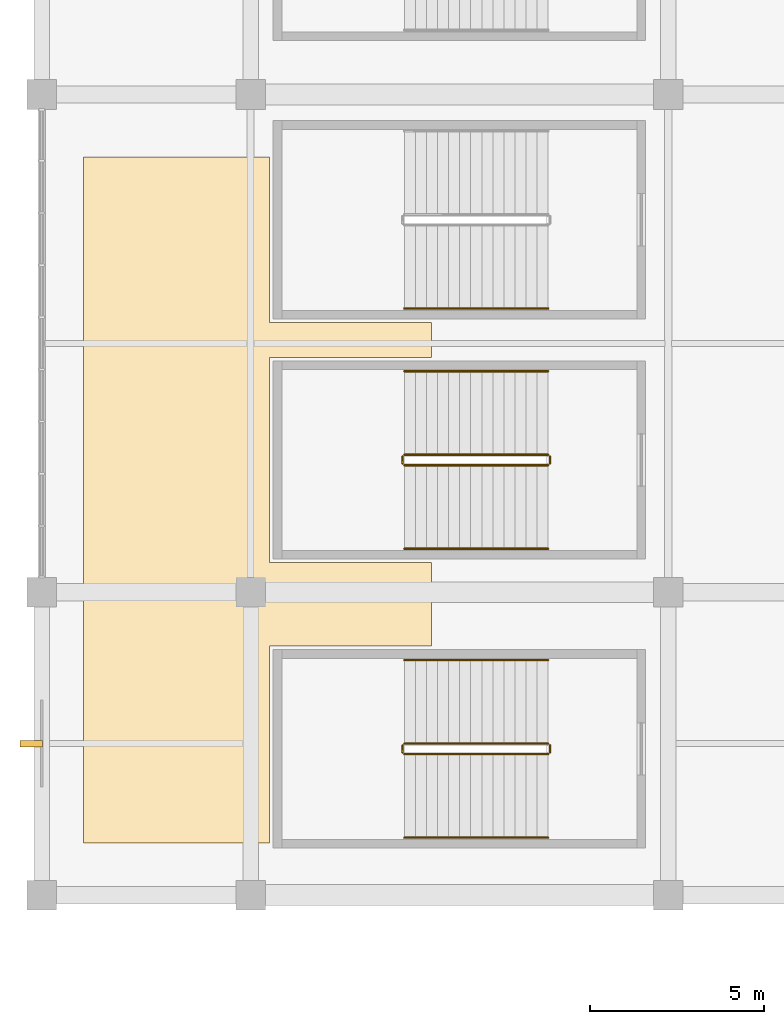
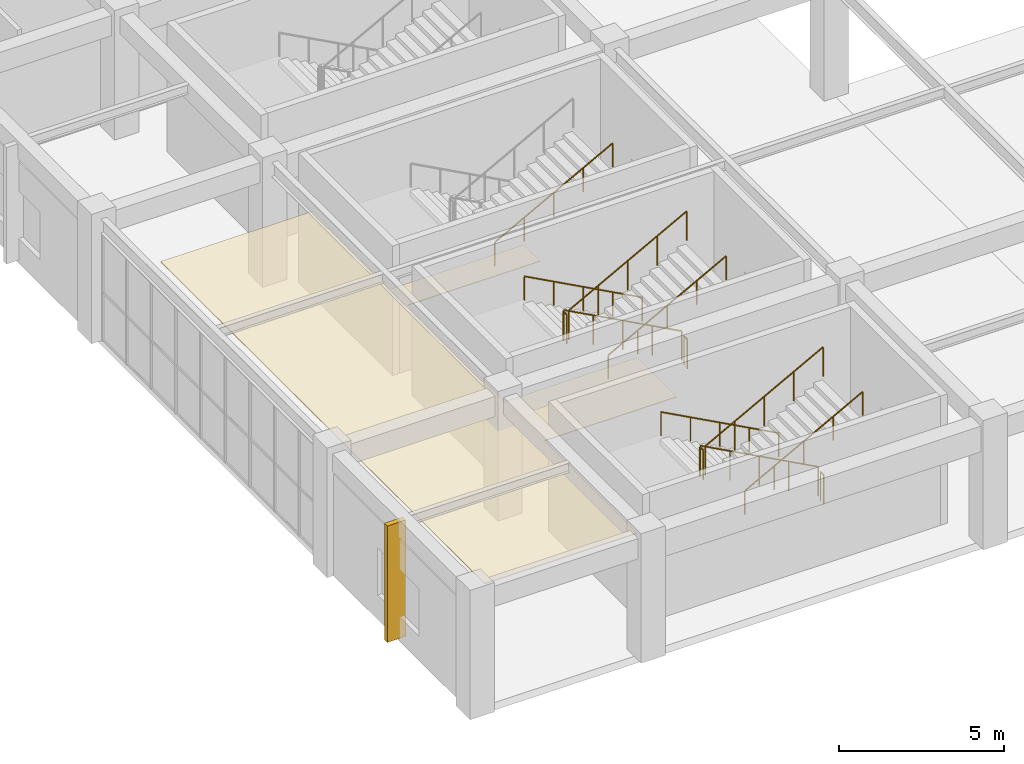
# One storey, part 96 of 112: 13 railings, 1 covering, 1 shading device.
"""IFC4 building model written with IfcOpenShell, lengths in metres."""

from ifc_helpers import new_model, si_unit, direction, frame, origin, origin_2d, place, context, subcontext, project, spatial, polyline, rectangle, circle, outline, extrude, material, layer, layer_set, type_object, element, save


model = new_model("IFC4")

# Units and contexts
model_context = context("Model", 3, precision=1e-05, world=origin(), true_north=direction((0.0, 1.0)))
body_context = subcontext(model_context, "Body", "Model", "MODEL_VIEW")
ifc_project = project(units=[si_unit("LENGTHUNIT", "METRE"), si_unit("AREAUNIT", "SQUARE_METRE"), si_unit("VOLUMEUNIT", "CUBIC_METRE"), si_unit("PLANEANGLEUNIT", "RADIAN"), si_unit("MASSUNIT", "GRAM", prefix="KILO")], contexts=[model_context])

# Site, building, storey
site_placement = place(None, origin())
site = spatial("IfcSite", under=ifc_project, at=site_placement, CompositionType="ELEMENT")
building_placement = place(site_placement, origin())
building = spatial("IfcBuilding", under=site, at=building_placement, Name="Cuetzalor Civic Arena", CompositionType="ELEMENT")
storey_placement = place(building_placement, frame((0.0, 0.0, 11.39990234375)))
storey = spatial("IfcBuildingStorey", under=building, at=storey_placement, Name="L02", CompositionType="ELEMENT", Elevation=11.39990234375)

# Covering
ifc_material_1 = material(Name="Perforated acoustic mineral ceiling board", Category="gypsum")
ifc_layer = layer(ifc_material_1, 0.02490234375)
ifc_layer_set = layer_set([ifc_layer], Name="Perforated acoustic mineral ceiling board")
covering_type = type_object("IfcCoveringType", Name="AcousticMineralCeiling_25", PredefinedType="CEILING", material=ifc_layer_set)
covering_placement = place(storey_placement, frame((0.0, 0.0, 3.300048828125)))
element("IfcCovering", 1, at=covering_placement, inside=storey, type_object=covering_type, Name="Club Lounge West Acoustic Ceiling", PredefinedType="CEILING", context=body_context, shape_type="SweptSolid", body=[
    extrude(outline(polyline([(-80.800048828125, -55.5), (-80.800048828125, -35.800048828125), (-75.449951171875, -35.800048828125), (-75.449951171875, -40.550048828125), (-70.800048828125, -40.550048828125), (-70.800048828125, -41.550048828125), (-75.449951171875, -41.550048828125), (-75.449951171875, -47.449951171875), (-70.800048828125, -47.449951171875), (-70.800048828125, -49.85009765625), (-75.449951171875, -49.85009765625), (-75.449951171875, -55.5), (-80.800048828125, -55.5)])), origin(), (0.0, 0.0, 1.0), 0.025146484375),
])

# Railings
ifc_material_2 = material(Name="Reseda-green architectural Steel S355 balustrade", Category="steel")
railing_type_1 = type_object("IfcRailingType", Name="InteriorVoidBalustrade_1100", PredefinedType="BALUSTRADE", material=ifc_material_2)
railing_1_placement = place(storey_placement, frame((-67.449951171875, -52.64990234375, 0.171630859375)))
element("IfcRailing", 2, at=railing_1_placement, inside=storey, type_object=railing_type_1, Name="L02 ST-13 stair guard 1", PredefinedType="BALUSTRADE", context=body_context, shape_type="SweptSolid", body=[
    extrude(circle(Radius=0.02392578125, at=origin_2d()), frame((0.0, 0.0, 1.0810546875), z_axis=(-0.880248997335, 0.0, 0.474512068014), x_axis=(0.0, -1.0, 0.0)), (0.0, 0.0, 1.0), 4.696533203125),
    extrude(circle(Radius=0.02099609375, at=origin_2d()), origin(), (0.0, 0.0, 1.0), 1.056884765625),
    extrude(circle(Radius=0.02099609375, at=origin_2d()), frame((-1.033447265625, 0.0, 0.55712890625)), (0.0, 0.0, 1.0), 1.056884765625),
    extrude(circle(Radius=0.02099609375, at=origin_2d()), frame((-2.06689453125, 0.0, 1.1142578125)), (0.0, 0.0, 1.0), 1.056884765625),
    extrude(circle(Radius=0.02099609375, at=origin_2d()), frame((-3.1005859375, 0.0, 1.67138671875)), (0.0, 0.0, 1.0), 1.056884765625),
    extrude(circle(Radius=0.02099609375, at=origin_2d()), frame((-4.134033203125, 0.0, 2.228515625)), (0.0, 0.0, 1.0), 1.056884765625),
])
railing_2_placement = place(storey_placement, frame((-71.634033203125, -52.699951171875, 2.400146484375)))
element("IfcRailing", 3, at=railing_2_placement, inside=storey, type_object=railing_type_1, Name="L02 ST-13 stair guard 2", PredefinedType="BALUSTRADE", context=body_context, shape_type="SweptSolid", body=[
    extrude(circle(Radius=0.02392578125, at=origin_2d()), frame((0.0, 0.0, 1.0810546875), z_axis=(0.0, -1.0, 0.0), x_axis=(1.0, 0.0, 0.0)), (0.0, 0.0, 1.0), 0.199951171875),
    extrude(circle(Radius=0.02099609375, at=origin_2d()), origin(), (0.0, 0.0, 1.0), 1.056884765625),
    extrude(circle(Radius=0.02099609375, at=origin_2d()), frame((0.0, -0.199951171875, 0.0)), (0.0, 0.0, 1.0), 1.056884765625),
])
railing_3_placement = place(storey_placement, frame((-71.583984375, -52.949951171875, 2.571533203125)))
element("IfcRailing", 4, at=railing_3_placement, inside=storey, type_object=railing_type_1, Name="L02 ST-13 stair guard 3", PredefinedType="BALUSTRADE", context=body_context, shape_type="SweptSolid", body=[
    extrude(circle(Radius=0.02392578125, at=origin_2d()), frame((0.0, 0.0, 1.0810546875), z_axis=(0.880248997335, 0.0, 0.474512068014), x_axis=(0.0, 1.0, 0.0)), (0.0, 0.0, 1.0), 4.696533203125),
    extrude(circle(Radius=0.02099609375, at=origin_2d()), origin(), (0.0, 0.0, 1.0), 1.056884765625),
    extrude(circle(Radius=0.02099609375, at=origin_2d()), frame((1.033447265625, 0.0, 0.55712890625)), (0.0, 0.0, 1.0), 1.056884765625),
    extrude(circle(Radius=0.02099609375, at=origin_2d()), frame((2.06689453125, 0.0, 1.1142578125)), (0.0, 0.0, 1.0), 1.056884765625),
    extrude(circle(Radius=0.02099609375, at=origin_2d()), frame((3.1005859375, 0.0, 1.67138671875)), (0.0, 0.0, 1.0), 1.056884765625),
    extrude(circle(Radius=0.02099609375, at=origin_2d()), frame((4.134033203125, 0.0, 2.228515625)), (0.0, 0.0, 1.0), 1.056884765625),
])
railing_4_placement = place(storey_placement, frame((-67.39990234375, -52.699951171875, 0.0)))
element("IfcRailing", 5, at=railing_4_placement, inside=storey, type_object=railing_type_1, Name="L02 ST-13 stair guard 4", PredefinedType="BALUSTRADE", context=body_context, shape_type="SweptSolid", body=[
    extrude(circle(Radius=0.02392578125, at=origin_2d()), frame((0.0, 0.0, 1.0810546875), z_axis=(0.0, -1.0, 0.0), x_axis=(1.0, 0.0, 0.0)), (0.0, 0.0, 1.0), 0.199951171875),
    extrude(circle(Radius=0.02099609375, at=origin_2d()), origin(), (0.0, 0.0, 1.0), 1.056884765625),
    extrude(circle(Radius=0.02099609375, at=origin_2d()), frame((0.0, -0.199951171875, 0.0)), (0.0, 0.0, 1.0), 1.056884765625),
])
railing_5_placement = place(storey_placement, frame((-67.449951171875, -44.35009765625, 0.171630859375)))
element("IfcRailing", 6, at=railing_5_placement, inside=storey, type_object=railing_type_1, Name="L02 ST-14 stair guard 1", PredefinedType="BALUSTRADE", context=body_context, shape_type="SweptSolid", body=[
    extrude(circle(Radius=0.02392578125, at=origin_2d()), frame((0.0, 0.0, 1.0810546875), z_axis=(-0.880248997335, 0.0, 0.474512068014), x_axis=(0.0, -1.0, 0.0)), (0.0, 0.0, 1.0), 4.696533203125),
    extrude(circle(Radius=0.02099609375, at=origin_2d()), origin(), (0.0, 0.0, 1.0), 1.056884765625),
    extrude(circle(Radius=0.02099609375, at=origin_2d()), frame((-1.033447265625, 0.0, 0.55712890625)), (0.0, 0.0, 1.0), 1.056884765625),
    extrude(circle(Radius=0.02099609375, at=origin_2d()), frame((-2.06689453125, 0.0, 1.1142578125)), (0.0, 0.0, 1.0), 1.056884765625),
    extrude(circle(Radius=0.02099609375, at=origin_2d()), frame((-3.1005859375, 0.0, 1.67138671875)), (0.0, 0.0, 1.0), 1.056884765625),
    extrude(circle(Radius=0.02099609375, at=origin_2d()), frame((-4.134033203125, 0.0, 2.228515625)), (0.0, 0.0, 1.0), 1.056884765625),
])
railing_6_placement = place(storey_placement, frame((-71.634033203125, -44.39990234375, 2.400146484375)))
element("IfcRailing", 7, at=railing_6_placement, inside=storey, type_object=railing_type_1, Name="L02 ST-14 stair guard 2", PredefinedType="BALUSTRADE", context=body_context, shape_type="SweptSolid", body=[
    extrude(circle(Radius=0.02392578125, at=origin_2d()), frame((0.0, 0.0, 1.0810546875), z_axis=(0.0, -1.0, 0.0), x_axis=(1.0, 0.0, 0.0)), (0.0, 0.0, 1.0), 0.2001953125),
    extrude(circle(Radius=0.02099609375, at=origin_2d()), origin(), (0.0, 0.0, 1.0), 1.056884765625),
    extrude(circle(Radius=0.02099609375, at=origin_2d()), frame((0.0, -0.2001953125, 0.0)), (0.0, 0.0, 1.0), 1.056884765625),
])
railing_7_placement = place(storey_placement, frame((-71.583984375, -44.64990234375, 2.571533203125)))
element("IfcRailing", 8, at=railing_7_placement, inside=storey, type_object=railing_type_1, Name="L02 ST-14 stair guard 3", PredefinedType="BALUSTRADE", context=body_context, shape_type="SweptSolid", body=[
    extrude(circle(Radius=0.02392578125, at=origin_2d()), frame((0.0, 0.0, 1.0810546875), z_axis=(0.880248997335, 0.0, 0.474512068014), x_axis=(0.0, 1.0, 0.0)), (0.0, 0.0, 1.0), 4.696533203125),
    extrude(circle(Radius=0.02099609375, at=origin_2d()), origin(), (0.0, 0.0, 1.0), 1.056884765625),
    extrude(circle(Radius=0.02099609375, at=origin_2d()), frame((1.033447265625, 0.0, 0.55712890625)), (0.0, 0.0, 1.0), 1.056884765625),
    extrude(circle(Radius=0.02099609375, at=origin_2d()), frame((2.06689453125, 0.0, 1.1142578125)), (0.0, 0.0, 1.0), 1.056884765625),
    extrude(circle(Radius=0.02099609375, at=origin_2d()), frame((3.1005859375, 0.0, 1.67138671875)), (0.0, 0.0, 1.0), 1.056884765625),
    extrude(circle(Radius=0.02099609375, at=origin_2d()), frame((4.134033203125, 0.0, 2.228515625)), (0.0, 0.0, 1.0), 1.056884765625),
])
railing_8_placement = place(storey_placement, frame((-67.39990234375, -44.39990234375, 0.0)))
element("IfcRailing", 9, at=railing_8_placement, inside=storey, type_object=railing_type_1, Name="L02 ST-14 stair guard 4", PredefinedType="BALUSTRADE", context=body_context, shape_type="SweptSolid", body=[
    extrude(circle(Radius=0.02392578125, at=origin_2d()), frame((0.0, 0.0, 1.0810546875), z_axis=(0.0, -1.0, 0.0), x_axis=(1.0, 0.0, 0.0)), (0.0, 0.0, 1.0), 0.2001953125),
    extrude(circle(Radius=0.02099609375, at=origin_2d()), origin(), (0.0, 0.0, 1.0), 1.056884765625),
    extrude(circle(Radius=0.02099609375, at=origin_2d()), frame((0.0, -0.2001953125, 0.0)), (0.0, 0.0, 1.0), 1.056884765625),
])
ifc_material_3 = material(Name="Galvanised steel S355", Category="steel")
railing_type_2 = type_object("IfcRailingType", Name="StairPitchHandrail_900", PredefinedType="HANDRAIL", material=ifc_material_3)
railing_9_placement = place(storey_placement, frame((-67.449951171875, -50.25, 0.171630859375)))
element("IfcRailing", 10, at=railing_9_placement, inside=storey, type_object=railing_type_2, Name="L02 ST-13 stair handrail 1", PredefinedType="HANDRAIL", context=body_context, shape_type="SweptSolid", body=[
    extrude(circle(Radius=0.02392578125, at=origin_2d()), frame((0.0, 0.0, 0.8759765625), z_axis=(-0.880248997335, 0.0, 0.474512068014), x_axis=(0.0, -1.0, 0.0)), (0.0, 0.0, 1.0), 4.696533203125),
    extrude(circle(Radius=0.02099609375, at=origin_2d()), origin(), (0.0, 0.0, 1.0), 0.851806640625),
    extrude(circle(Radius=0.02099609375, at=origin_2d()), frame((-1.033447265625, 0.0, 0.55712890625)), (0.0, 0.0, 1.0), 0.851806640625),
    extrude(circle(Radius=0.02099609375, at=origin_2d()), frame((-2.06689453125, 0.0, 1.1142578125)), (0.0, 0.0, 1.0), 0.851806640625),
    extrude(circle(Radius=0.02099609375, at=origin_2d()), frame((-3.1005859375, 0.0, 1.67138671875)), (0.0, 0.0, 1.0), 0.851806640625),
    extrude(circle(Radius=0.02099609375, at=origin_2d()), frame((-4.134033203125, 0.0, 2.228515625)), (0.0, 0.0, 1.0), 0.851806640625),
])
railing_10_placement = place(storey_placement, frame((-71.583984375, -55.35009765625, 2.571533203125)))
element("IfcRailing", 11, at=railing_10_placement, inside=storey, type_object=railing_type_2, Name="L02 ST-13 stair handrail 2", PredefinedType="HANDRAIL", context=body_context, shape_type="SweptSolid", body=[
    extrude(circle(Radius=0.02392578125, at=origin_2d()), frame((0.0, 0.0, 0.8759765625), z_axis=(0.880248997335, 0.0, 0.474512068014), x_axis=(0.0, 1.0, 0.0)), (0.0, 0.0, 1.0), 4.696533203125),
    extrude(circle(Radius=0.02099609375, at=origin_2d()), origin(), (0.0, 0.0, 1.0), 0.851806640625),
    extrude(circle(Radius=0.02099609375, at=origin_2d()), frame((1.033447265625, 0.0, 0.55712890625)), (0.0, 0.0, 1.0), 0.851806640625),
    extrude(circle(Radius=0.02099609375, at=origin_2d()), frame((2.06689453125, 0.0, 1.1142578125)), (0.0, 0.0, 1.0), 0.851806640625),
    extrude(circle(Radius=0.02099609375, at=origin_2d()), frame((3.1005859375, 0.0, 1.67138671875)), (0.0, 0.0, 1.0), 0.851806640625),
    extrude(circle(Radius=0.02099609375, at=origin_2d()), frame((4.134033203125, 0.0, 2.228515625)), (0.0, 0.0, 1.0), 0.851806640625),
])
railing_11_placement = place(storey_placement, frame((-67.449951171875, -41.949951171875, 0.171630859375)))
element("IfcRailing", 12, at=railing_11_placement, inside=storey, type_object=railing_type_2, Name="L02 ST-14 stair handrail 1", PredefinedType="HANDRAIL", context=body_context, shape_type="SweptSolid", body=[
    extrude(circle(Radius=0.02392578125, at=origin_2d()), frame((0.0, 0.0, 0.8759765625), z_axis=(-0.880248997335, 0.0, 0.474512068014), x_axis=(0.0, -1.0, 0.0)), (0.0, 0.0, 1.0), 4.696533203125),
    extrude(circle(Radius=0.02099609375, at=origin_2d()), origin(), (0.0, 0.0, 1.0), 0.851806640625),
    extrude(circle(Radius=0.02099609375, at=origin_2d()), frame((-1.033447265625, 0.0, 0.55712890625)), (0.0, 0.0, 1.0), 0.851806640625),
    extrude(circle(Radius=0.02099609375, at=origin_2d()), frame((-2.06689453125, 0.0, 1.1142578125)), (0.0, 0.0, 1.0), 0.851806640625),
    extrude(circle(Radius=0.02099609375, at=origin_2d()), frame((-3.1005859375, 0.0, 1.67138671875)), (0.0, 0.0, 1.0), 0.851806640625),
    extrude(circle(Radius=0.02099609375, at=origin_2d()), frame((-4.134033203125, 0.0, 2.228515625)), (0.0, 0.0, 1.0), 0.851806640625),
])
for number, where, name in (
    (13, (-71.583984375, -47.050048828125, 2.571533203125), "L02 ST-14 stair handrail 2"),
    (14, (-71.583984375, -40.14990234375, 2.571533203125), "L02 ST-15 stair handrail 2"),
):
    element("IfcRailing", number, at=place(storey_placement, frame(where)), inside=storey, type_object=railing_type_2, Name=name, PredefinedType="HANDRAIL", context=body_context, shape_type="SweptSolid", body=[
        extrude(circle(Radius=0.02392578125, at=origin_2d()), frame((0.0, 0.0, 0.8759765625), z_axis=(0.880248997335, 0.0, 0.474512068014), x_axis=(0.0, 1.0, 0.0)), (0.0, 0.0, 1.0), 4.696533203125),
        extrude(circle(Radius=0.02099609375, at=origin_2d()), origin(), (0.0, 0.0, 1.0), 0.851806640625),
        extrude(circle(Radius=0.02099609375, at=origin_2d()), frame((1.033447265625, 0.0, 0.55712890625)), (0.0, 0.0, 1.0), 0.851806640625),
        extrude(circle(Radius=0.02099609375, at=origin_2d()), frame((2.06689453125, 0.0, 1.1142578125)), (0.0, 0.0, 1.0), 0.851806640625),
        extrude(circle(Radius=0.02099609375, at=origin_2d()), frame((3.1005859375, 0.0, 1.67138671875)), (0.0, 0.0, 1.0), 0.851806640625),
        extrude(circle(Radius=0.02099609375, at=origin_2d()), frame((4.134033203125, 0.0, 2.228515625)), (0.0, 0.0, 1.0), 0.851806640625),
    ])

# Shading device
ifc_material_4 = material(Name="Puebla cantera gris stone and bronze fin", Category="masonry")
shading_device_type = type_object("IfcShadingDeviceType", Name="VerticalCanteraSolarFin", PredefinedType="USERDEFINED", material=ifc_material_4)
shading_device_placement = place(storey_placement, frame((-82.300048828125, -52.64990234375, 0.10009765625), z_axis=(0.0, 0.0, 1.0), x_axis=(1.0, 0.0, 0.0)))
element("IfcShadingDevice", 15, at=shading_device_placement, inside=storey, type_object=shading_device_type, Name="V4W Vertical Cantera Solar Fin 01", ObjectType="SOLAR FIN", PredefinedType="USERDEFINED", context=body_context, shape_type="SweptSolid", body=[
    extrude(rectangle(XDim=0.64990234375, YDim=0.179931640625, at=origin_2d()), origin(), (0.0, 0.0, 1.0), 4.320068359375),
])

save(model, "model.ifc")
